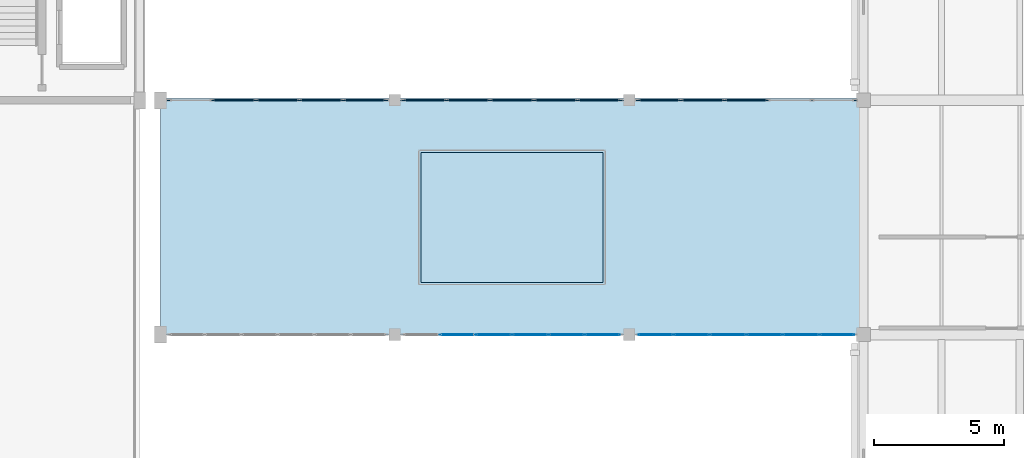
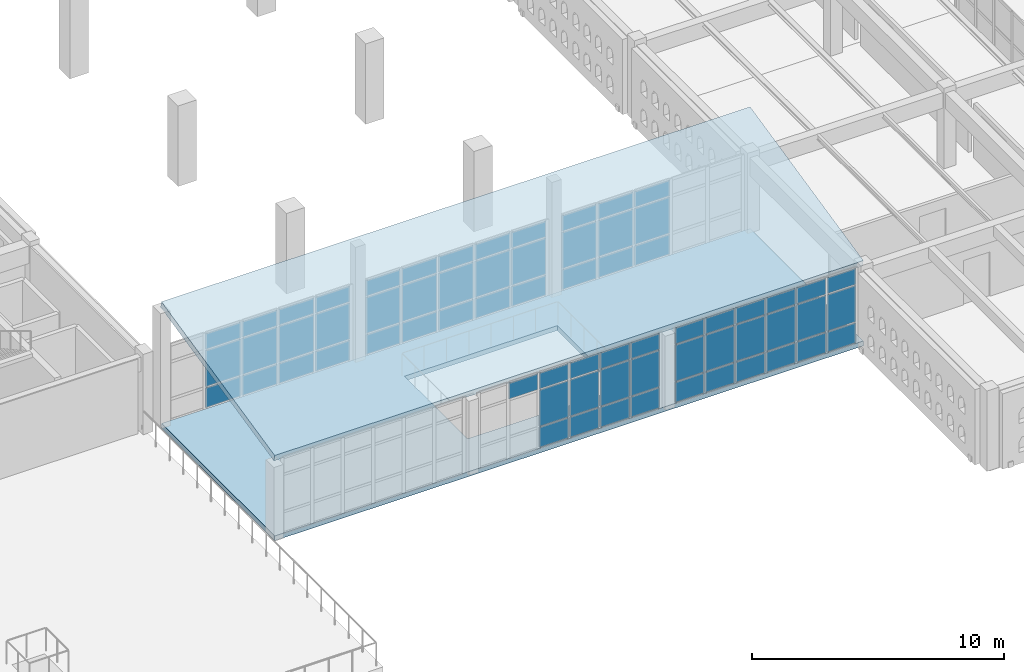
# One storey, part 119 of 156: 67 plates, 2 slabs, 5 elements without a shape of their own.
"""IFC4 building model written with IfcOpenShell, lengths in metres."""

from ifc_helpers import new_model, si_unit, direction, frame, origin, origin_2d, place, context, subcontext, project, spatial, polyline, rectangle, outline, extrude, material, layer, layer_set, type_object, element, aggregate, save


model = new_model("IFC4")

# Units and contexts
model_context = context("Model", 3, precision=1e-05, world=origin(), true_north=direction((0.0, 1.0)))
body_context = subcontext(model_context, "Body", "Model", "MODEL_VIEW")
ifc_project = project(units=[si_unit("LENGTHUNIT", "METRE"), si_unit("AREAUNIT", "SQUARE_METRE"), si_unit("VOLUMEUNIT", "CUBIC_METRE"), si_unit("PLANEANGLEUNIT", "RADIAN"), si_unit("MASSUNIT", "GRAM", prefix="KILO")], contexts=[model_context])

# Site, building, storey
site_placement = place(None, origin())
site = spatial("IfcSite", under=ifc_project, at=site_placement, CompositionType="ELEMENT")
building_placement = place(site_placement, origin())
building = spatial("IfcBuilding", under=site, at=building_placement, Name="Ornek Quay Market", CompositionType="ELEMENT")
storey_placement = place(building_placement, frame((0.0, 0.0, 4.5)))
storey = spatial("IfcBuildingStorey", under=building, at=storey_placement, Name="L01", CompositionType="ELEMENT", Elevation=4.5)

# Curtain wall, plates
ifc_material_1 = material(Name="Anodised bronze aluminium and triple low-e glass", Category="aluminium")
ifc_layer_1 = layer(ifc_material_1, 0.179931640625, Name="Anodised bronze aluminium and triple low-e glass", Category="aluminium")
ifc_layer_set_1 = layer_set([ifc_layer_1], Name="Anodised bronze aluminium and triple low-e glass")
curtain_wall_type_1 = type_object("IfcCurtainWallType", Name="CW-CONC-MOD1500", PredefinedType="USERDEFINED", material=ifc_layer_set_1)
curtain_wall_1_placement = place(storey_placement, origin())
curtain_wall_1 = element("IfcCurtainWall", 1, at=curtain_wall_1_placement, inside=storey, type_object=curtain_wall_type_1, Name="Curtain wall CW-040", ObjectType="CURTAIN WALL", PredefinedType="USERDEFINED")
ifc_material_2 = material(Name="Triple insulated low-e glass", Category="glass")
ifc_layer_2 = layer(ifc_material_2, 0.035888671875, Name="Triple insulated low-e glass", Category="glass")
ifc_layer_set_2 = layer_set([ifc_layer_2], Name="Triple insulated low-e glass")
plate_type_1 = type_object("IfcPlateType", Name="PL-CW-TRIPLE-36", PredefinedType="CURTAIN_PANEL", material=ifc_layer_set_2)
plate_1_placement = place(storey_placement, frame((137.39990234375, 20.0, 2.89013671875), z_axis=(0.0, 0.0, 1.0), x_axis=(1.0, 0.0, 0.0)))
plate_1 = element("IfcPlate", 2, at=plate_1_placement, type_object=plate_type_1, Name="CW-040 panel 2.3", PredefinedType="CURTAIN_PANEL", context=body_context, shape_type="SweptSolid", body=[
    extrude(rectangle(XDim=1.340087890625, YDim=0.035888671875, at=origin_2d()), origin(), (0.0, 0.0, 1.0), 0.760009765625),
])
plate_2_placement = place(storey_placement, frame((138.800048828125, 20.0, 0.06005859375), z_axis=(0.0, 0.0, 1.0), x_axis=(1.0, 0.0, 0.0)))
plate_2 = element("IfcPlate", 3, at=plate_2_placement, type_object=plate_type_1, Name="CW-040 panel 3.1", PredefinedType="CURTAIN_PANEL", context=body_context, shape_type="SweptSolid", body=[
    extrude(rectangle(XDim=1.340087890625, YDim=0.035888671875, at=origin_2d()), origin(), (0.0, 0.0, 1.0), 0.9599609375),
])
plate_3_placement = place(storey_placement, frame((138.800048828125, 20.0, 1.080078125), z_axis=(0.0, 0.0, 1.0), x_axis=(1.0, 0.0, 0.0)))
plate_3 = element("IfcPlate", 4, at=plate_3_placement, type_object=plate_type_1, Name="CW-040 panel 3.2", PredefinedType="CURTAIN_PANEL", context=body_context, shape_type="SweptSolid", body=[
    extrude(rectangle(XDim=1.340087890625, YDim=0.035888671875, at=origin_2d()), origin(), (0.0, 0.0, 1.0), 1.75),
])
plate_4_placement = place(storey_placement, frame((138.800048828125, 20.0, 2.89013671875), z_axis=(0.0, 0.0, 1.0), x_axis=(1.0, 0.0, 0.0)))
plate_4 = element("IfcPlate", 5, at=plate_4_placement, type_object=plate_type_1, Name="CW-040 panel 3.3", PredefinedType="CURTAIN_PANEL", context=body_context, shape_type="SweptSolid", body=[
    extrude(rectangle(XDim=1.340087890625, YDim=0.035888671875, at=origin_2d()), origin(), (0.0, 0.0, 1.0), 0.760009765625),
])
plate_5_placement = place(storey_placement, frame((140.199951171875, 20.0, 0.06005859375), z_axis=(0.0, 0.0, 1.0), x_axis=(1.0, 0.0, 0.0)))
plate_5 = element("IfcPlate", 6, at=plate_5_placement, type_object=plate_type_1, Name="CW-040 panel 4.1", PredefinedType="CURTAIN_PANEL", context=body_context, shape_type="SweptSolid", body=[
    extrude(rectangle(XDim=1.340087890625, YDim=0.035888671875, at=origin_2d()), origin(), (0.0, 0.0, 1.0), 0.9599609375),
])
plate_6_placement = place(storey_placement, frame((140.199951171875, 20.0, 1.080078125), z_axis=(0.0, 0.0, 1.0), x_axis=(1.0, 0.0, 0.0)))
plate_6 = element("IfcPlate", 7, at=plate_6_placement, type_object=plate_type_1, Name="CW-040 panel 4.2", PredefinedType="CURTAIN_PANEL", context=body_context, shape_type="SweptSolid", body=[
    extrude(rectangle(XDim=1.340087890625, YDim=0.035888671875, at=origin_2d()), origin(), (0.0, 0.0, 1.0), 1.75),
])
plate_7_placement = place(storey_placement, frame((140.199951171875, 20.0, 2.89013671875), z_axis=(0.0, 0.0, 1.0), x_axis=(1.0, 0.0, 0.0)))
plate_7 = element("IfcPlate", 8, at=plate_7_placement, type_object=plate_type_1, Name="CW-040 panel 4.3", PredefinedType="CURTAIN_PANEL", context=body_context, shape_type="SweptSolid", body=[
    extrude(rectangle(XDim=1.340087890625, YDim=0.035888671875, at=origin_2d()), origin(), (0.0, 0.0, 1.0), 0.760009765625),
])
plate_8_placement = place(storey_placement, frame((141.60009765625, 20.0, 0.06005859375), z_axis=(0.0, 0.0, 1.0), x_axis=(1.0, 0.0, 0.0)))
plate_8 = element("IfcPlate", 9, at=plate_8_placement, type_object=plate_type_1, Name="CW-040 panel 5.1", PredefinedType="CURTAIN_PANEL", context=body_context, shape_type="SweptSolid", body=[
    extrude(rectangle(XDim=1.340087890625, YDim=0.035888671875, at=origin_2d()), origin(), (0.0, 0.0, 1.0), 0.9599609375),
])
plate_9_placement = place(storey_placement, frame((141.60009765625, 20.0, 1.080078125), z_axis=(0.0, 0.0, 1.0), x_axis=(1.0, 0.0, 0.0)))
plate_9 = element("IfcPlate", 10, at=plate_9_placement, type_object=plate_type_1, Name="CW-040 panel 5.2", PredefinedType="CURTAIN_PANEL", context=body_context, shape_type="SweptSolid", body=[
    extrude(rectangle(XDim=1.340087890625, YDim=0.035888671875, at=origin_2d()), origin(), (0.0, 0.0, 1.0), 1.75),
])
plate_10_placement = place(storey_placement, frame((141.60009765625, 20.0, 2.89013671875), z_axis=(0.0, 0.0, 1.0), x_axis=(1.0, 0.0, 0.0)))
plate_10 = element("IfcPlate", 11, at=plate_10_placement, type_object=plate_type_1, Name="CW-040 panel 5.3", PredefinedType="CURTAIN_PANEL", context=body_context, shape_type="SweptSolid", body=[
    extrude(rectangle(XDim=1.340087890625, YDim=0.035888671875, at=origin_2d()), origin(), (0.0, 0.0, 1.0), 0.760009765625),
])
plate_11_placement = place(storey_placement, frame((142.985107421875, 20.0, 0.06005859375), z_axis=(0.0, 0.0, 1.0), x_axis=(1.0, 0.0, 0.0)))
plate_11 = element("IfcPlate", 12, at=plate_11_placement, type_object=plate_type_1, Name="CW-040 panel 6.1", PredefinedType="CURTAIN_PANEL", context=body_context, shape_type="SweptSolid", body=[
    extrude(rectangle(XDim=1.31005859375, YDim=0.035888671875, at=origin_2d()), origin(), (0.0, 0.0, 1.0), 0.9599609375),
])
plate_12_placement = place(storey_placement, frame((142.985107421875, 20.0, 1.080078125), z_axis=(0.0, 0.0, 1.0), x_axis=(1.0, 0.0, 0.0)))
plate_12 = element("IfcPlate", 13, at=plate_12_placement, type_object=plate_type_1, Name="CW-040 panel 6.2", PredefinedType="CURTAIN_PANEL", context=body_context, shape_type="SweptSolid", body=[
    extrude(rectangle(XDim=1.31005859375, YDim=0.035888671875, at=origin_2d()), origin(), (0.0, 0.0, 1.0), 1.75),
])
plate_13_placement = place(storey_placement, frame((142.985107421875, 20.0, 2.89013671875), z_axis=(0.0, 0.0, 1.0), x_axis=(1.0, 0.0, 0.0)))
plate_13 = element("IfcPlate", 14, at=plate_13_placement, type_object=plate_type_1, Name="CW-040 panel 6.3", PredefinedType="CURTAIN_PANEL", context=body_context, shape_type="SweptSolid", body=[
    extrude(rectangle(XDim=1.31005859375, YDim=0.035888671875, at=origin_2d()), origin(), (0.0, 0.0, 1.0), 0.760009765625),
])
aggregate(curtain_wall_1, [plate_1, plate_2, plate_3, plate_4, plate_5, plate_6, plate_7, plate_8, plate_9, plate_10, plate_11, plate_12, plate_13])

curtain_wall_2_placement = place(storey_placement, origin())
curtain_wall_2 = element("IfcCurtainWall", 15, at=curtain_wall_2_placement, inside=storey, type_object=curtain_wall_type_1, Name="Curtain wall CW-044", ObjectType="CURTAIN WALL", PredefinedType="USERDEFINED")
plate_14_placement = place(storey_placement, frame((145.014892578125, 20.0, 0.06005859375), z_axis=(0.0, 0.0, 1.0), x_axis=(1.0, 0.0, 0.0)))
plate_14 = element("IfcPlate", 16, at=plate_14_placement, type_object=plate_type_1, Name="CW-044 panel 1.1", PredefinedType="CURTAIN_PANEL", context=body_context, shape_type="SweptSolid", body=[
    extrude(rectangle(XDim=1.31005859375, YDim=0.035888671875, at=origin_2d()), origin(), (0.0, 0.0, 1.0), 0.9599609375),
])
plate_15_placement = place(storey_placement, frame((145.014892578125, 20.0, 1.080078125), z_axis=(0.0, 0.0, 1.0), x_axis=(1.0, 0.0, 0.0)))
plate_15 = element("IfcPlate", 17, at=plate_15_placement, type_object=plate_type_1, Name="CW-044 panel 1.2", PredefinedType="CURTAIN_PANEL", context=body_context, shape_type="SweptSolid", body=[
    extrude(rectangle(XDim=1.31005859375, YDim=0.035888671875, at=origin_2d()), origin(), (0.0, 0.0, 1.0), 1.75),
])
plate_16_placement = place(storey_placement, frame((145.014892578125, 20.0, 2.89013671875), z_axis=(0.0, 0.0, 1.0), x_axis=(1.0, 0.0, 0.0)))
plate_16 = element("IfcPlate", 18, at=plate_16_placement, type_object=plate_type_1, Name="CW-044 panel 1.3", PredefinedType="CURTAIN_PANEL", context=body_context, shape_type="SweptSolid", body=[
    extrude(rectangle(XDim=1.31005859375, YDim=0.035888671875, at=origin_2d()), origin(), (0.0, 0.0, 1.0), 0.760009765625),
])
plate_17_placement = place(storey_placement, frame((146.39990234375, 20.0, 0.06005859375), z_axis=(0.0, 0.0, 1.0), x_axis=(1.0, 0.0, 0.0)))
plate_17 = element("IfcPlate", 19, at=plate_17_placement, type_object=plate_type_1, Name="CW-044 panel 2.1", PredefinedType="CURTAIN_PANEL", context=body_context, shape_type="SweptSolid", body=[
    extrude(rectangle(XDim=1.340087890625, YDim=0.035888671875, at=origin_2d()), origin(), (0.0, 0.0, 1.0), 0.9599609375),
])
plate_18_placement = place(storey_placement, frame((146.39990234375, 20.0, 1.080078125), z_axis=(0.0, 0.0, 1.0), x_axis=(1.0, 0.0, 0.0)))
plate_18 = element("IfcPlate", 20, at=plate_18_placement, type_object=plate_type_1, Name="CW-044 panel 2.2", PredefinedType="CURTAIN_PANEL", context=body_context, shape_type="SweptSolid", body=[
    extrude(rectangle(XDim=1.340087890625, YDim=0.035888671875, at=origin_2d()), origin(), (0.0, 0.0, 1.0), 1.75),
])
plate_19_placement = place(storey_placement, frame((146.39990234375, 20.0, 2.89013671875), z_axis=(0.0, 0.0, 1.0), x_axis=(1.0, 0.0, 0.0)))
plate_19 = element("IfcPlate", 21, at=plate_19_placement, type_object=plate_type_1, Name="CW-044 panel 2.3", PredefinedType="CURTAIN_PANEL", context=body_context, shape_type="SweptSolid", body=[
    extrude(rectangle(XDim=1.340087890625, YDim=0.035888671875, at=origin_2d()), origin(), (0.0, 0.0, 1.0), 0.760009765625),
])
plate_20_placement = place(storey_placement, frame((147.800048828125, 20.0, 0.06005859375), z_axis=(0.0, 0.0, 1.0), x_axis=(1.0, 0.0, 0.0)))
plate_20 = element("IfcPlate", 22, at=plate_20_placement, type_object=plate_type_1, Name="CW-044 panel 3.1", PredefinedType="CURTAIN_PANEL", context=body_context, shape_type="SweptSolid", body=[
    extrude(rectangle(XDim=1.340087890625, YDim=0.035888671875, at=origin_2d()), origin(), (0.0, 0.0, 1.0), 0.9599609375),
])
plate_21_placement = place(storey_placement, frame((147.800048828125, 20.0, 1.080078125), z_axis=(0.0, 0.0, 1.0), x_axis=(1.0, 0.0, 0.0)))
plate_21 = element("IfcPlate", 23, at=plate_21_placement, type_object=plate_type_1, Name="CW-044 panel 3.2", PredefinedType="CURTAIN_PANEL", context=body_context, shape_type="SweptSolid", body=[
    extrude(rectangle(XDim=1.340087890625, YDim=0.035888671875, at=origin_2d()), origin(), (0.0, 0.0, 1.0), 1.75),
])
plate_22_placement = place(storey_placement, frame((147.800048828125, 20.0, 2.89013671875), z_axis=(0.0, 0.0, 1.0), x_axis=(1.0, 0.0, 0.0)))
plate_22 = element("IfcPlate", 24, at=plate_22_placement, type_object=plate_type_1, Name="CW-044 panel 3.3", PredefinedType="CURTAIN_PANEL", context=body_context, shape_type="SweptSolid", body=[
    extrude(rectangle(XDim=1.340087890625, YDim=0.035888671875, at=origin_2d()), origin(), (0.0, 0.0, 1.0), 0.760009765625),
])
plate_23_placement = place(storey_placement, frame((149.199951171875, 20.0, 0.06005859375), z_axis=(0.0, 0.0, 1.0), x_axis=(1.0, 0.0, 0.0)))
plate_23 = element("IfcPlate", 25, at=plate_23_placement, type_object=plate_type_1, Name="CW-044 panel 4.1", PredefinedType="CURTAIN_PANEL", context=body_context, shape_type="SweptSolid", body=[
    extrude(rectangle(XDim=1.340087890625, YDim=0.035888671875, at=origin_2d()), origin(), (0.0, 0.0, 1.0), 0.9599609375),
])
plate_24_placement = place(storey_placement, frame((149.199951171875, 20.0, 1.080078125), z_axis=(0.0, 0.0, 1.0), x_axis=(1.0, 0.0, 0.0)))
plate_24 = element("IfcPlate", 26, at=plate_24_placement, type_object=plate_type_1, Name="CW-044 panel 4.2", PredefinedType="CURTAIN_PANEL", context=body_context, shape_type="SweptSolid", body=[
    extrude(rectangle(XDim=1.340087890625, YDim=0.035888671875, at=origin_2d()), origin(), (0.0, 0.0, 1.0), 1.75),
])
plate_25_placement = place(storey_placement, frame((149.199951171875, 20.0, 2.89013671875), z_axis=(0.0, 0.0, 1.0), x_axis=(1.0, 0.0, 0.0)))
plate_25 = element("IfcPlate", 27, at=plate_25_placement, type_object=plate_type_1, Name="CW-044 panel 4.3", PredefinedType="CURTAIN_PANEL", context=body_context, shape_type="SweptSolid", body=[
    extrude(rectangle(XDim=1.340087890625, YDim=0.035888671875, at=origin_2d()), origin(), (0.0, 0.0, 1.0), 0.760009765625),
])
plate_26_placement = place(storey_placement, frame((150.60009765625, 20.0, 0.06005859375), z_axis=(0.0, 0.0, 1.0), x_axis=(1.0, 0.0, 0.0)))
plate_26 = element("IfcPlate", 28, at=plate_26_placement, type_object=plate_type_1, Name="CW-044 panel 5.1", PredefinedType="CURTAIN_PANEL", context=body_context, shape_type="SweptSolid", body=[
    extrude(rectangle(XDim=1.340087890625, YDim=0.035888671875, at=origin_2d()), origin(), (0.0, 0.0, 1.0), 0.9599609375),
])
plate_27_placement = place(storey_placement, frame((150.60009765625, 20.0, 1.080078125), z_axis=(0.0, 0.0, 1.0), x_axis=(1.0, 0.0, 0.0)))
plate_27 = element("IfcPlate", 29, at=plate_27_placement, type_object=plate_type_1, Name="CW-044 panel 5.2", PredefinedType="CURTAIN_PANEL", context=body_context, shape_type="SweptSolid", body=[
    extrude(rectangle(XDim=1.340087890625, YDim=0.035888671875, at=origin_2d()), origin(), (0.0, 0.0, 1.0), 1.75),
])
plate_28_placement = place(storey_placement, frame((150.60009765625, 20.0, 2.89013671875), z_axis=(0.0, 0.0, 1.0), x_axis=(1.0, 0.0, 0.0)))
plate_28 = element("IfcPlate", 30, at=plate_28_placement, type_object=plate_type_1, Name="CW-044 panel 5.3", PredefinedType="CURTAIN_PANEL", context=body_context, shape_type="SweptSolid", body=[
    extrude(rectangle(XDim=1.340087890625, YDim=0.035888671875, at=origin_2d()), origin(), (0.0, 0.0, 1.0), 0.760009765625),
])
plate_29_placement = place(storey_placement, frame((151.985107421875, 20.0, 0.06005859375), z_axis=(0.0, 0.0, 1.0), x_axis=(1.0, 0.0, 0.0)))
plate_29 = element("IfcPlate", 31, at=plate_29_placement, type_object=plate_type_1, Name="CW-044 panel 6.1", PredefinedType="CURTAIN_PANEL", context=body_context, shape_type="SweptSolid", body=[
    extrude(rectangle(XDim=1.31005859375, YDim=0.035888671875, at=origin_2d()), origin(), (0.0, 0.0, 1.0), 0.9599609375),
])
plate_30_placement = place(storey_placement, frame((151.985107421875, 20.0, 1.080078125), z_axis=(0.0, 0.0, 1.0), x_axis=(1.0, 0.0, 0.0)))
plate_30 = element("IfcPlate", 32, at=plate_30_placement, type_object=plate_type_1, Name="CW-044 panel 6.2", PredefinedType="CURTAIN_PANEL", context=body_context, shape_type="SweptSolid", body=[
    extrude(rectangle(XDim=1.31005859375, YDim=0.035888671875, at=origin_2d()), origin(), (0.0, 0.0, 1.0), 1.75),
])
plate_31_placement = place(storey_placement, frame((151.985107421875, 20.0, 2.89013671875), z_axis=(0.0, 0.0, 1.0), x_axis=(1.0, 0.0, 0.0)))
plate_31 = element("IfcPlate", 33, at=plate_31_placement, type_object=plate_type_1, Name="CW-044 panel 6.3", PredefinedType="CURTAIN_PANEL", context=body_context, shape_type="SweptSolid", body=[
    extrude(rectangle(XDim=1.31005859375, YDim=0.035888671875, at=origin_2d()), origin(), (0.0, 0.0, 1.0), 0.760009765625),
])
aggregate(curtain_wall_2, [plate_14, plate_15, plate_16, plate_17, plate_18, plate_19, plate_20, plate_21, plate_22, plate_23, plate_24, plate_25, plate_26, plate_27, plate_28, plate_29, plate_30, plate_31])

ifc_layer_3 = layer(ifc_material_1, 0.199951171875, Name="Anodised bronze aluminium and triple low-e glass", Category="aluminium")
ifc_layer_set_3 = layer_set([ifc_layer_3], Name="Anodised bronze aluminium and triple low-e glass")
curtain_wall_type_2 = type_object("IfcCurtainWallType", Name="CW-CONC-MOD1800", PredefinedType="USERDEFINED", material=ifc_layer_set_3)
curtain_wall_3_placement = place(storey_placement, origin())
curtain_wall_3 = element("IfcCurtainWall", 34, at=curtain_wall_3_placement, inside=storey, type_object=curtain_wall_type_2, Name="Curtain wall CW-035", ObjectType="CURTAIN WALL", PredefinedType="USERDEFINED")
ifc_layer_4 = layer(ifc_material_2, 0.0419921875, Name="Triple insulated low-e glass", Category="glass")
ifc_layer_set_4 = layer_set([ifc_layer_4], Name="Triple insulated low-e glass")
plate_type_2 = type_object("IfcPlateType", Name="PL-CW-TRIPLE-42", PredefinedType="CURTAIN_PANEL", material=ifc_layer_set_4)
plate_32_placement = place(storey_placement, frame((128.820068359375, 29.0, 0.06494140625), z_axis=(0.0, 0.0, 1.0), x_axis=(1.0, 0.0, 0.0)))
plate_32 = element("IfcPlate", 35, at=plate_32_placement, type_object=plate_type_2, Name="CW-035 panel 2.1", PredefinedType="CURTAIN_PANEL", context=body_context, shape_type="SweptSolid", body=[
    extrude(rectangle(XDim=1.614990234375, YDim=0.0419921875, at=origin_2d()), origin(), (0.0, 0.0, 1.0), 0.952392578125),
])
plate_33_placement = place(storey_placement, frame((128.820068359375, 29.0, 1.08251953125), z_axis=(0.0, 0.0, 1.0), x_axis=(1.0, 0.0, 0.0)))
plate_33 = element("IfcPlate", 36, at=plate_33_placement, type_object=plate_type_2, Name="CW-035 panel 2.2", PredefinedType="CURTAIN_PANEL", context=body_context, shape_type="SweptSolid", body=[
    extrude(rectangle(XDim=1.614990234375, YDim=0.0419921875, at=origin_2d()), origin(), (0.0, 0.0, 1.0), 1.7451171875),
])
plate_34_placement = place(storey_placement, frame((128.820068359375, 29.0, 2.892578125), z_axis=(0.0, 0.0, 1.0), x_axis=(1.0, 0.0, 0.0)))
plate_34 = element("IfcPlate", 37, at=plate_34_placement, type_object=plate_type_2, Name="CW-035 panel 2.3", PredefinedType="CURTAIN_PANEL", context=body_context, shape_type="SweptSolid", body=[
    extrude(rectangle(XDim=1.614990234375, YDim=0.0419921875, at=origin_2d()), origin(), (0.0, 0.0, 1.0), 0.75244140625),
])
plate_35_placement = place(storey_placement, frame((130.5, 29.0, 0.06494140625), z_axis=(0.0, 0.0, 1.0), x_axis=(1.0, 0.0, 0.0)))
plate_35 = element("IfcPlate", 38, at=plate_35_placement, type_object=plate_type_2, Name="CW-035 panel 3.1", PredefinedType="CURTAIN_PANEL", context=body_context, shape_type="SweptSolid", body=[
    extrude(rectangle(XDim=1.614990234375, YDim=0.0419921875, at=origin_2d()), origin(), (0.0, 0.0, 1.0), 0.952392578125),
])
plate_36_placement = place(storey_placement, frame((130.5, 29.0, 1.08251953125), z_axis=(0.0, 0.0, 1.0), x_axis=(1.0, 0.0, 0.0)))
plate_36 = element("IfcPlate", 39, at=plate_36_placement, type_object=plate_type_2, Name="CW-035 panel 3.2", PredefinedType="CURTAIN_PANEL", context=body_context, shape_type="SweptSolid", body=[
    extrude(rectangle(XDim=1.614990234375, YDim=0.0419921875, at=origin_2d()), origin(), (0.0, 0.0, 1.0), 1.7451171875),
])
plate_37_placement = place(storey_placement, frame((130.5, 29.0, 2.892578125), z_axis=(0.0, 0.0, 1.0), x_axis=(1.0, 0.0, 0.0)))
plate_37 = element("IfcPlate", 40, at=plate_37_placement, type_object=plate_type_2, Name="CW-035 panel 3.3", PredefinedType="CURTAIN_PANEL", context=body_context, shape_type="SweptSolid", body=[
    extrude(rectangle(XDim=1.614990234375, YDim=0.0419921875, at=origin_2d()), origin(), (0.0, 0.0, 1.0), 0.75244140625),
])
plate_38_placement = place(storey_placement, frame((132.179931640625, 29.0, 0.06494140625), z_axis=(0.0, 0.0, 1.0), x_axis=(1.0, 0.0, 0.0)))
plate_38 = element("IfcPlate", 41, at=plate_38_placement, type_object=plate_type_2, Name="CW-035 panel 4.1", PredefinedType="CURTAIN_PANEL", context=body_context, shape_type="SweptSolid", body=[
    extrude(rectangle(XDim=1.614990234375, YDim=0.0419921875, at=origin_2d()), origin(), (0.0, 0.0, 1.0), 0.952392578125),
])
plate_39_placement = place(storey_placement, frame((132.179931640625, 29.0, 1.08251953125), z_axis=(0.0, 0.0, 1.0), x_axis=(1.0, 0.0, 0.0)))
plate_39 = element("IfcPlate", 42, at=plate_39_placement, type_object=plate_type_2, Name="CW-035 panel 4.2", PredefinedType="CURTAIN_PANEL", context=body_context, shape_type="SweptSolid", body=[
    extrude(rectangle(XDim=1.614990234375, YDim=0.0419921875, at=origin_2d()), origin(), (0.0, 0.0, 1.0), 1.7451171875),
])
plate_40_placement = place(storey_placement, frame((132.179931640625, 29.0, 2.892578125), z_axis=(0.0, 0.0, 1.0), x_axis=(1.0, 0.0, 0.0)))
plate_40 = element("IfcPlate", 43, at=plate_40_placement, type_object=plate_type_2, Name="CW-035 panel 4.3", PredefinedType="CURTAIN_PANEL", context=body_context, shape_type="SweptSolid", body=[
    extrude(rectangle(XDim=1.614990234375, YDim=0.0419921875, at=origin_2d()), origin(), (0.0, 0.0, 1.0), 0.75244140625),
])
plate_41_placement = place(storey_placement, frame((133.84375, 29.0, 0.06494140625), z_axis=(0.0, 0.0, 1.0), x_axis=(1.0, 0.0, 0.0)))
plate_41 = element("IfcPlate", 44, at=plate_41_placement, type_object=plate_type_2, Name="CW-035 panel 5.1", PredefinedType="CURTAIN_PANEL", context=body_context, shape_type="SweptSolid", body=[
    extrude(rectangle(XDim=1.58251953125, YDim=0.0419921875, at=origin_2d()), origin(), (0.0, 0.0, 1.0), 0.952392578125),
])
plate_42_placement = place(storey_placement, frame((133.84375, 29.0, 1.08251953125), z_axis=(0.0, 0.0, 1.0), x_axis=(1.0, 0.0, 0.0)))
plate_42 = element("IfcPlate", 45, at=plate_42_placement, type_object=plate_type_2, Name="CW-035 panel 5.2", PredefinedType="CURTAIN_PANEL", context=body_context, shape_type="SweptSolid", body=[
    extrude(rectangle(XDim=1.58251953125, YDim=0.0419921875, at=origin_2d()), origin(), (0.0, 0.0, 1.0), 1.7451171875),
])
plate_43_placement = place(storey_placement, frame((133.84375, 29.0, 2.892578125), z_axis=(0.0, 0.0, 1.0), x_axis=(1.0, 0.0, 0.0)))
plate_43 = element("IfcPlate", 46, at=plate_43_placement, type_object=plate_type_2, Name="CW-035 panel 5.3", PredefinedType="CURTAIN_PANEL", context=body_context, shape_type="SweptSolid", body=[
    extrude(rectangle(XDim=1.58251953125, YDim=0.0419921875, at=origin_2d()), origin(), (0.0, 0.0, 1.0), 0.75244140625),
])
aggregate(curtain_wall_3, [plate_32, plate_33, plate_34, plate_35, plate_36, plate_37, plate_38, plate_39, plate_40, plate_41, plate_42, plate_43])

curtain_wall_4_placement = place(storey_placement, origin())
curtain_wall_4 = element("IfcCurtainWall", 47, at=curtain_wall_4_placement, inside=storey, type_object=curtain_wall_type_2, Name="Curtain wall CW-039", ObjectType="CURTAIN WALL", PredefinedType="USERDEFINED")
plate_44_placement = place(storey_placement, frame((136.15625, 29.0, 0.06494140625), z_axis=(0.0, 0.0, 1.0), x_axis=(1.0, 0.0, 0.0)))
plate_44 = element("IfcPlate", 48, at=plate_44_placement, type_object=plate_type_2, Name="CW-039 panel 1.1", PredefinedType="CURTAIN_PANEL", context=body_context, shape_type="SweptSolid", body=[
    extrude(rectangle(XDim=1.58251953125, YDim=0.0419921875, at=origin_2d()), origin(), (0.0, 0.0, 1.0), 0.952392578125),
])
plate_45_placement = place(storey_placement, frame((136.15625, 29.0, 1.08251953125), z_axis=(0.0, 0.0, 1.0), x_axis=(1.0, 0.0, 0.0)))
plate_45 = element("IfcPlate", 49, at=plate_45_placement, type_object=plate_type_2, Name="CW-039 panel 1.2", PredefinedType="CURTAIN_PANEL", context=body_context, shape_type="SweptSolid", body=[
    extrude(rectangle(XDim=1.58251953125, YDim=0.0419921875, at=origin_2d()), origin(), (0.0, 0.0, 1.0), 1.7451171875),
])
plate_46_placement = place(storey_placement, frame((136.15625, 29.0, 2.892578125), z_axis=(0.0, 0.0, 1.0), x_axis=(1.0, 0.0, 0.0)))
plate_46 = element("IfcPlate", 50, at=plate_46_placement, type_object=plate_type_2, Name="CW-039 panel 1.3", PredefinedType="CURTAIN_PANEL", context=body_context, shape_type="SweptSolid", body=[
    extrude(rectangle(XDim=1.58251953125, YDim=0.0419921875, at=origin_2d()), origin(), (0.0, 0.0, 1.0), 0.75244140625),
])
plate_47_placement = place(storey_placement, frame((137.820068359375, 29.0, 0.06494140625), z_axis=(0.0, 0.0, 1.0), x_axis=(1.0, 0.0, 0.0)))
plate_47 = element("IfcPlate", 51, at=plate_47_placement, type_object=plate_type_2, Name="CW-039 panel 2.1", PredefinedType="CURTAIN_PANEL", context=body_context, shape_type="SweptSolid", body=[
    extrude(rectangle(XDim=1.614990234375, YDim=0.0419921875, at=origin_2d()), origin(), (0.0, 0.0, 1.0), 0.952392578125),
])
plate_48_placement = place(storey_placement, frame((137.820068359375, 29.0, 1.08251953125), z_axis=(0.0, 0.0, 1.0), x_axis=(1.0, 0.0, 0.0)))
plate_48 = element("IfcPlate", 52, at=plate_48_placement, type_object=plate_type_2, Name="CW-039 panel 2.2", PredefinedType="CURTAIN_PANEL", context=body_context, shape_type="SweptSolid", body=[
    extrude(rectangle(XDim=1.614990234375, YDim=0.0419921875, at=origin_2d()), origin(), (0.0, 0.0, 1.0), 1.7451171875),
])
plate_49_placement = place(storey_placement, frame((137.820068359375, 29.0, 2.892578125), z_axis=(0.0, 0.0, 1.0), x_axis=(1.0, 0.0, 0.0)))
plate_49 = element("IfcPlate", 53, at=plate_49_placement, type_object=plate_type_2, Name="CW-039 panel 2.3", PredefinedType="CURTAIN_PANEL", context=body_context, shape_type="SweptSolid", body=[
    extrude(rectangle(XDim=1.614990234375, YDim=0.0419921875, at=origin_2d()), origin(), (0.0, 0.0, 1.0), 0.75244140625),
])
plate_50_placement = place(storey_placement, frame((139.5, 29.0, 0.06494140625), z_axis=(0.0, 0.0, 1.0), x_axis=(1.0, 0.0, 0.0)))
plate_50 = element("IfcPlate", 54, at=plate_50_placement, type_object=plate_type_2, Name="CW-039 panel 3.1", PredefinedType="CURTAIN_PANEL", context=body_context, shape_type="SweptSolid", body=[
    extrude(rectangle(XDim=1.614990234375, YDim=0.0419921875, at=origin_2d()), origin(), (0.0, 0.0, 1.0), 0.952392578125),
])
plate_51_placement = place(storey_placement, frame((139.5, 29.0, 1.08251953125), z_axis=(0.0, 0.0, 1.0), x_axis=(1.0, 0.0, 0.0)))
plate_51 = element("IfcPlate", 55, at=plate_51_placement, type_object=plate_type_2, Name="CW-039 panel 3.2", PredefinedType="CURTAIN_PANEL", context=body_context, shape_type="SweptSolid", body=[
    extrude(rectangle(XDim=1.614990234375, YDim=0.0419921875, at=origin_2d()), origin(), (0.0, 0.0, 1.0), 1.7451171875),
])
plate_52_placement = place(storey_placement, frame((139.5, 29.0, 2.892578125), z_axis=(0.0, 0.0, 1.0), x_axis=(1.0, 0.0, 0.0)))
plate_52 = element("IfcPlate", 56, at=plate_52_placement, type_object=plate_type_2, Name="CW-039 panel 3.3", PredefinedType="CURTAIN_PANEL", context=body_context, shape_type="SweptSolid", body=[
    extrude(rectangle(XDim=1.614990234375, YDim=0.0419921875, at=origin_2d()), origin(), (0.0, 0.0, 1.0), 0.75244140625),
])
plate_53_placement = place(storey_placement, frame((141.179931640625, 29.0, 0.06494140625), z_axis=(0.0, 0.0, 1.0), x_axis=(1.0, 0.0, 0.0)))
plate_53 = element("IfcPlate", 57, at=plate_53_placement, type_object=plate_type_2, Name="CW-039 panel 4.1", PredefinedType="CURTAIN_PANEL", context=body_context, shape_type="SweptSolid", body=[
    extrude(rectangle(XDim=1.614990234375, YDim=0.0419921875, at=origin_2d()), origin(), (0.0, 0.0, 1.0), 0.952392578125),
])
plate_54_placement = place(storey_placement, frame((141.179931640625, 29.0, 1.08251953125), z_axis=(0.0, 0.0, 1.0), x_axis=(1.0, 0.0, 0.0)))
plate_54 = element("IfcPlate", 58, at=plate_54_placement, type_object=plate_type_2, Name="CW-039 panel 4.2", PredefinedType="CURTAIN_PANEL", context=body_context, shape_type="SweptSolid", body=[
    extrude(rectangle(XDim=1.614990234375, YDim=0.0419921875, at=origin_2d()), origin(), (0.0, 0.0, 1.0), 1.7451171875),
])
plate_55_placement = place(storey_placement, frame((141.179931640625, 29.0, 2.892578125), z_axis=(0.0, 0.0, 1.0), x_axis=(1.0, 0.0, 0.0)))
plate_55 = element("IfcPlate", 59, at=plate_55_placement, type_object=plate_type_2, Name="CW-039 panel 4.3", PredefinedType="CURTAIN_PANEL", context=body_context, shape_type="SweptSolid", body=[
    extrude(rectangle(XDim=1.614990234375, YDim=0.0419921875, at=origin_2d()), origin(), (0.0, 0.0, 1.0), 0.75244140625),
])
plate_56_placement = place(storey_placement, frame((142.84375, 29.0, 0.06494140625), z_axis=(0.0, 0.0, 1.0), x_axis=(1.0, 0.0, 0.0)))
plate_56 = element("IfcPlate", 60, at=plate_56_placement, type_object=plate_type_2, Name="CW-039 panel 5.1", PredefinedType="CURTAIN_PANEL", context=body_context, shape_type="SweptSolid", body=[
    extrude(rectangle(XDim=1.58251953125, YDim=0.0419921875, at=origin_2d()), origin(), (0.0, 0.0, 1.0), 0.952392578125),
])
plate_57_placement = place(storey_placement, frame((142.84375, 29.0, 1.08251953125), z_axis=(0.0, 0.0, 1.0), x_axis=(1.0, 0.0, 0.0)))
plate_57 = element("IfcPlate", 61, at=plate_57_placement, type_object=plate_type_2, Name="CW-039 panel 5.2", PredefinedType="CURTAIN_PANEL", context=body_context, shape_type="SweptSolid", body=[
    extrude(rectangle(XDim=1.58251953125, YDim=0.0419921875, at=origin_2d()), origin(), (0.0, 0.0, 1.0), 1.7451171875),
])
plate_58_placement = place(storey_placement, frame((142.84375, 29.0, 2.892578125), z_axis=(0.0, 0.0, 1.0), x_axis=(1.0, 0.0, 0.0)))
plate_58 = element("IfcPlate", 62, at=plate_58_placement, type_object=plate_type_2, Name="CW-039 panel 5.3", PredefinedType="CURTAIN_PANEL", context=body_context, shape_type="SweptSolid", body=[
    extrude(rectangle(XDim=1.58251953125, YDim=0.0419921875, at=origin_2d()), origin(), (0.0, 0.0, 1.0), 0.75244140625),
])
aggregate(curtain_wall_4, [plate_44, plate_45, plate_46, plate_47, plate_48, plate_49, plate_50, plate_51, plate_52, plate_53, plate_54, plate_55, plate_56, plate_57, plate_58])

curtain_wall_5_placement = place(storey_placement, origin())
curtain_wall_5 = element("IfcCurtainWall", 63, at=curtain_wall_5_placement, inside=storey, type_object=curtain_wall_type_2, Name="Curtain wall CW-043", ObjectType="CURTAIN WALL", PredefinedType="USERDEFINED")
plate_59_placement = place(storey_placement, frame((145.15625, 29.0, 0.06494140625), z_axis=(0.0, 0.0, 1.0), x_axis=(1.0, 0.0, 0.0)))
plate_59 = element("IfcPlate", 64, at=plate_59_placement, type_object=plate_type_2, Name="CW-043 panel 1.1", PredefinedType="CURTAIN_PANEL", context=body_context, shape_type="SweptSolid", body=[
    extrude(rectangle(XDim=1.58251953125, YDim=0.0419921875, at=origin_2d()), origin(), (0.0, 0.0, 1.0), 0.952392578125),
])
plate_60_placement = place(storey_placement, frame((145.15625, 29.0, 1.08251953125), z_axis=(0.0, 0.0, 1.0), x_axis=(1.0, 0.0, 0.0)))
plate_60 = element("IfcPlate", 65, at=plate_60_placement, type_object=plate_type_2, Name="CW-043 panel 1.2", PredefinedType="CURTAIN_PANEL", context=body_context, shape_type="SweptSolid", body=[
    extrude(rectangle(XDim=1.58251953125, YDim=0.0419921875, at=origin_2d()), origin(), (0.0, 0.0, 1.0), 1.7451171875),
])
plate_61_placement = place(storey_placement, frame((145.15625, 29.0, 2.892578125), z_axis=(0.0, 0.0, 1.0), x_axis=(1.0, 0.0, 0.0)))
plate_61 = element("IfcPlate", 66, at=plate_61_placement, type_object=plate_type_2, Name="CW-043 panel 1.3", PredefinedType="CURTAIN_PANEL", context=body_context, shape_type="SweptSolid", body=[
    extrude(rectangle(XDim=1.58251953125, YDim=0.0419921875, at=origin_2d()), origin(), (0.0, 0.0, 1.0), 0.75244140625),
])
plate_62_placement = place(storey_placement, frame((146.820068359375, 29.0, 0.06494140625), z_axis=(0.0, 0.0, 1.0), x_axis=(1.0, 0.0, 0.0)))
plate_62 = element("IfcPlate", 67, at=plate_62_placement, type_object=plate_type_2, Name="CW-043 panel 2.1", PredefinedType="CURTAIN_PANEL", context=body_context, shape_type="SweptSolid", body=[
    extrude(rectangle(XDim=1.614990234375, YDim=0.0419921875, at=origin_2d()), origin(), (0.0, 0.0, 1.0), 0.952392578125),
])
plate_63_placement = place(storey_placement, frame((146.820068359375, 29.0, 1.08251953125), z_axis=(0.0, 0.0, 1.0), x_axis=(1.0, 0.0, 0.0)))
plate_63 = element("IfcPlate", 68, at=plate_63_placement, type_object=plate_type_2, Name="CW-043 panel 2.2", PredefinedType="CURTAIN_PANEL", context=body_context, shape_type="SweptSolid", body=[
    extrude(rectangle(XDim=1.614990234375, YDim=0.0419921875, at=origin_2d()), origin(), (0.0, 0.0, 1.0), 1.7451171875),
])
plate_64_placement = place(storey_placement, frame((146.820068359375, 29.0, 2.892578125), z_axis=(0.0, 0.0, 1.0), x_axis=(1.0, 0.0, 0.0)))
plate_64 = element("IfcPlate", 69, at=plate_64_placement, type_object=plate_type_2, Name="CW-043 panel 2.3", PredefinedType="CURTAIN_PANEL", context=body_context, shape_type="SweptSolid", body=[
    extrude(rectangle(XDim=1.614990234375, YDim=0.0419921875, at=origin_2d()), origin(), (0.0, 0.0, 1.0), 0.75244140625),
])
plate_65_placement = place(storey_placement, frame((148.5, 29.0, 0.06494140625), z_axis=(0.0, 0.0, 1.0), x_axis=(1.0, 0.0, 0.0)))
plate_65 = element("IfcPlate", 70, at=plate_65_placement, type_object=plate_type_2, Name="CW-043 panel 3.1", PredefinedType="CURTAIN_PANEL", context=body_context, shape_type="SweptSolid", body=[
    extrude(rectangle(XDim=1.614990234375, YDim=0.0419921875, at=origin_2d()), origin(), (0.0, 0.0, 1.0), 0.952392578125),
])
plate_66_placement = place(storey_placement, frame((148.5, 29.0, 1.08251953125), z_axis=(0.0, 0.0, 1.0), x_axis=(1.0, 0.0, 0.0)))
plate_66 = element("IfcPlate", 71, at=plate_66_placement, type_object=plate_type_2, Name="CW-043 panel 3.2", PredefinedType="CURTAIN_PANEL", context=body_context, shape_type="SweptSolid", body=[
    extrude(rectangle(XDim=1.614990234375, YDim=0.0419921875, at=origin_2d()), origin(), (0.0, 0.0, 1.0), 1.7451171875),
])
plate_67_placement = place(storey_placement, frame((148.5, 29.0, 2.892578125), z_axis=(0.0, 0.0, 1.0), x_axis=(1.0, 0.0, 0.0)))
plate_67 = element("IfcPlate", 72, at=plate_67_placement, type_object=plate_type_2, Name="CW-043 panel 3.3", PredefinedType="CURTAIN_PANEL", context=body_context, shape_type="SweptSolid", body=[
    extrude(rectangle(XDim=1.614990234375, YDim=0.0419921875, at=origin_2d()), origin(), (0.0, 0.0, 1.0), 0.75244140625),
])
aggregate(curtain_wall_5, [plate_59, plate_60, plate_61, plate_62, plate_63, plate_64, plate_65, plate_66, plate_67])

# Slabs
ifc_material_3 = material(Name="Concrete C35/45", Category="concrete")
ifc_layer_5 = layer(ifc_material_3, 0.22998046875, Name="Concrete C35/45", Category="concrete")
ifc_layer_set_5 = layer_set([ifc_layer_5], Name="Concrete C35/45")
slab_type_1 = type_object("IfcSlabType", Name="SL-FLR-CONC-230", PredefinedType="FLOOR", material=ifc_layer_set_5)
slab_1_placement = place(storey_placement, frame((0.0, 0.0, -0.22998046875)))
element("IfcSlab", 73, at=slab_1_placement, inside=storey, type_object=slab_type_1, Name="Slab S-035 (L01)", PredefinedType="FLOOR", context=body_context, shape_type="SweptSolid", body=[
    extrude(outline(polyline([(126.0, 20.0), (153.0, 20.0), (153.0, 29.0), (126.0, 29.0), (126.0, 20.0)]), holes=[polyline([(136.0, 27.0), (143.0, 27.0), (143.0, 22.0), (136.0, 22.0), (136.0, 27.0)])]), origin(), (0.0, 0.0, 1.0), 0.22998046875),
])
ifc_layer_6 = layer(ifc_material_3, 0.31005859375, Name="Concrete C35/45", Category="concrete")
ifc_layer_set_6 = layer_set([ifc_layer_6], Name="Concrete C35/45")
slab_type_2 = type_object("IfcSlabType", Name="SL-RF-WING-310", PredefinedType="ROOF", material=ifc_layer_set_6)
slab_2_placement = place(storey_placement, frame((126.0, 20.0, 3.89990234375), z_axis=(0.0, -0.216930457819, 0.976187060184), x_axis=(1.0, 0.0, 0.0)))
element("IfcSlab", 74, at=slab_2_placement, inside=storey, type_object=slab_type_2, Name="Sloped roof slab S-052 (L01)", PredefinedType="ROOF", context=body_context, shape_type="SweptSolid", body=[
    extrude(outline(polyline([(0.0, 0.0), (27.0, 0.0), (27.0, 9.219544457292887), (0.0, 9.219544457292887), (0.0, 0.0)])), origin(), (0.0, 0.0, -1.0), 0.31005859375),
])

save(model, "model.ifc")
